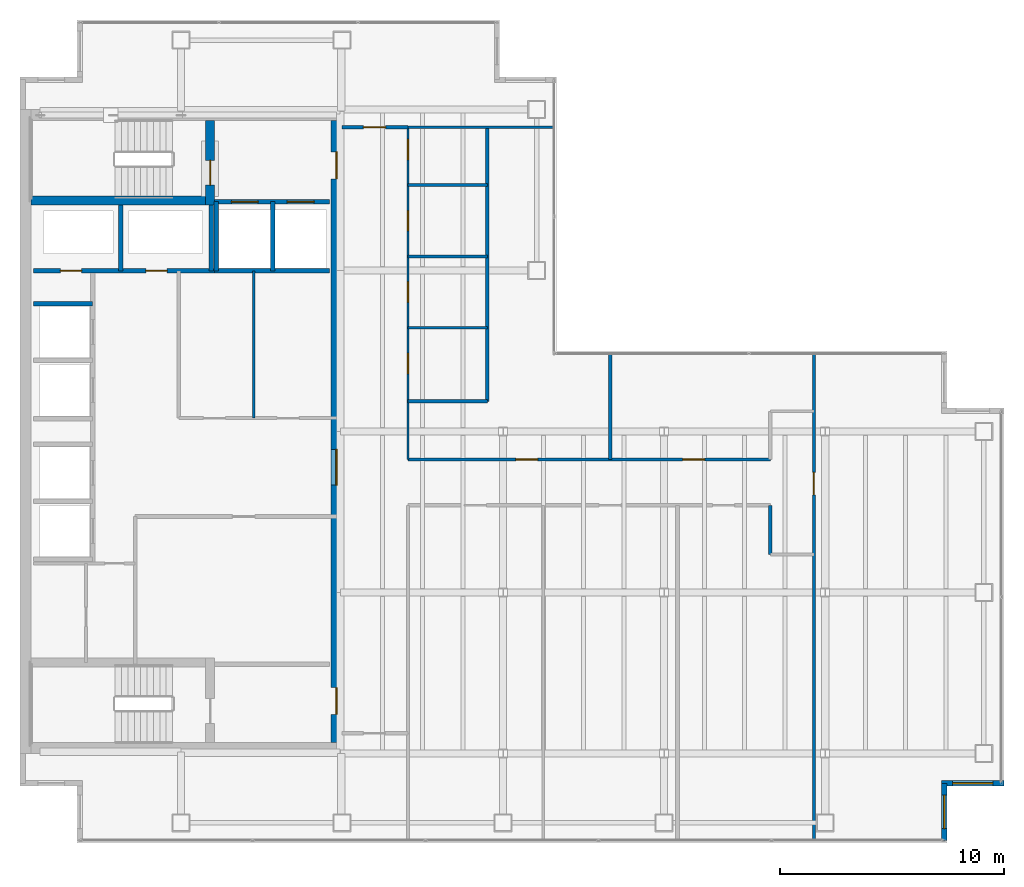
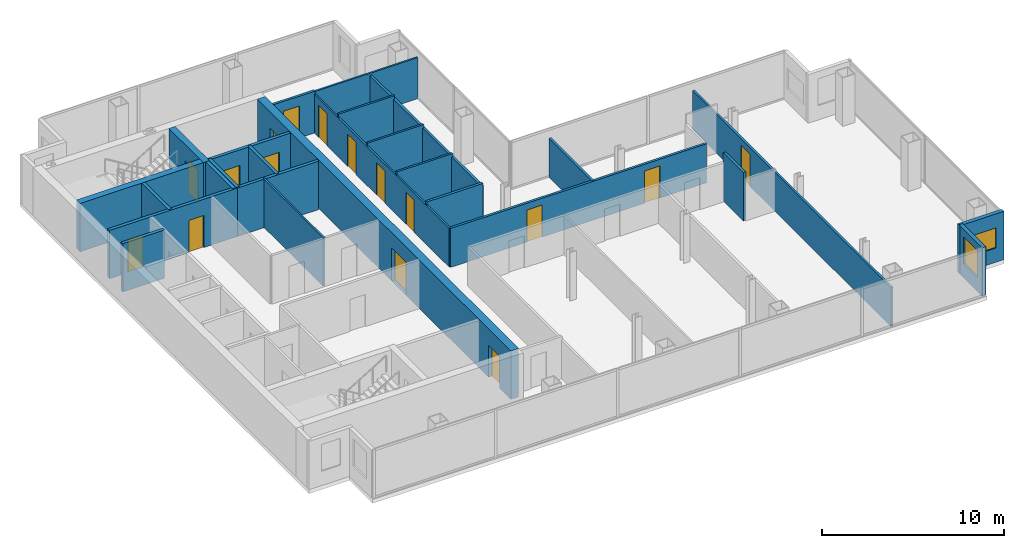
# One storey, part 21 of 23: 26 walls, 16 doors, 2 windows, 18 openings.
"""IFC4 building model written with IfcOpenShell, lengths in metres."""

from ifc_helpers import new_model, si_unit, direction, frame, frame_2d, origin, place, context, subcontext, project, spatial, rectangle, extrude, material, layer, layer_set, type_object, element, fill, save


model = new_model("IFC4")

# Units and contexts
model_context = context("Model", 3, precision=1e-05, world=origin(), true_north=direction((0.0, 1.0)))
body_context = subcontext(model_context, "Body", "Model", "MODEL_VIEW")
ifc_project = project(units=[si_unit("LENGTHUNIT", "METRE"), si_unit("AREAUNIT", "SQUARE_METRE"), si_unit("VOLUMEUNIT", "CUBIC_METRE"), si_unit("PLANEANGLEUNIT", "RADIAN"), si_unit("MASSUNIT", "GRAM", prefix="KILO")], contexts=[model_context])

# Site, building, storey
site_placement = place(None, origin())
site = spatial("IfcSite", under=ifc_project, at=site_placement, CompositionType="ELEMENT")
building_placement = place(site_placement, origin())
building = spatial("IfcBuilding", under=site, at=building_placement, Name="Cobrela Telecom Tower", CompositionType="ELEMENT")
storey_placement = place(building_placement, frame((0.0, 0.0, 190.75)))
storey = spatial("IfcBuildingStorey", under=building, at=storey_placement, Name="L48", CompositionType="ELEMENT", Elevation=190.75)

# Wall, openings, doors
ifc_material_1 = material(Name="Concrete C40/50", Category="concrete")
ifc_layer_1 = layer(ifc_material_1, 0.5)
ifc_layer_set_1 = layer_set([ifc_layer_1], Name="Concrete C40/50")
wall_type_1 = type_object("IfcWallType", Name="WALL-CORE-C40-500", PredefinedType="SHEAR", material=ifc_layer_set_1)
wall_1_placement = place(storey_placement, frame((14.14990234375, 35.5, 0.0), z_axis=(0.0, 0.0, 1.0), x_axis=(0.0, -1.0, 0.0)))
wall_1 = element("IfcWall", 1, at=wall_1_placement, inside=storey, type_object=wall_type_1, Name="L48 East Core Shear Wall", PredefinedType="SHEAR", context=body_context, shape_type="SweptSolid", body=[
    extrude(rectangle(XDim=27.800048828125, YDim=0.5, at=frame_2d((13.89990234375, 0.0))), origin(), (0.0, 0.0, 1.0), 3.239990234375),
])
opening_1_placement = place(wall_1_placement, frame((1.39990234375, 0.0, 0.0)))
opening_1 = element("IfcOpeningElement", 2, at=opening_1_placement, cuts=wall_1, Name="Opening DR-19", PredefinedType="OPENING", context=body_context, shape_type="SweptSolid", body=[
    extrude(rectangle(XDim=1.199951171875, YDim=2.14990234375, at=frame_2d((0.60009765625, 1.074951171875))), frame((0.0, 0.261962890625, 0.0), z_axis=(0.0, -1.0, 0.0), x_axis=(1.0, 0.0, 0.0)), (0.0, 0.0, 1.0), 0.52392578125),
])
opening_2_placement = place(wall_1_placement, frame((25.35009765625, 0.0, 0.0)))
opening_2 = element("IfcOpeningElement", 3, at=opening_2_placement, cuts=wall_1, Name="Opening DR-19", PredefinedType="OPENING", context=body_context, shape_type="SweptSolid", body=[
    extrude(rectangle(XDim=1.199951171875, YDim=2.14990234375, at=frame_2d((0.60009765625, 1.074951171875))), frame((0.0, 0.261962890625, 0.0), z_axis=(0.0, -1.0, 0.0), x_axis=(1.0, 0.0, 0.0)), (0.0, 0.0, 1.0), 0.52392578125),
])
opening_3_placement = place(wall_1_placement, frame((14.699951171875, 0.0, 0.0)))
opening_3 = element("IfcOpeningElement", 4, at=opening_3_placement, cuts=wall_1, Name="Opening DR-51", PredefinedType="OPENING", context=body_context, shape_type="SweptSolid", body=[
    extrude(rectangle(XDim=1.60009765625, YDim=2.199951171875, at=frame_2d((0.800048828125, 1.10009765625))), frame((0.0, 0.261962890625, 0.0), z_axis=(0.0, -1.0, 0.0), x_axis=(1.0, 0.0, 0.0)), (0.0, 0.0, 1.0), 0.52392578125),
])
ifc_material_2 = material(Name="Steel ASTM A36", Category="steel")
door_type_1 = type_object("IfcDoorType", Name="DOOR-FD60-1200", OperationType="SINGLE_SWING_LEFT", PredefinedType="DOOR", material=ifc_material_2)
door_1_placement = place(opening_1_placement, origin())
door_1 = element("IfcDoor", 5, at=door_1_placement, inside=storey, type_object=door_type_1, Name="L48 Door DR-19", OperationType="SINGLE_SWING_LEFT", OverallHeight=2.14990234375, OverallWidth=1.199951171875, PredefinedType="DOOR", context=body_context, shape_type="SweptSolid", body=[
    extrude(rectangle(XDim=1.199951171875, YDim=2.14990234375, at=frame_2d((0.60009765625, 1.074951171875))), frame((0.0, 0.02490234375, 0.0), z_axis=(0.0, -1.0, 0.0), x_axis=(1.0, 0.0, 0.0)), (0.0, 0.0, 1.0), 0.050048828125),
])
fill(opening_1, door_1)
door_2_placement = place(opening_2_placement, origin())
door_2 = element("IfcDoor", 6, at=door_2_placement, inside=storey, type_object=door_type_1, Name="L48 Door DR-19", OperationType="SINGLE_SWING_RIGHT", OverallHeight=2.14990234375, OverallWidth=1.199951171875, PredefinedType="DOOR", context=body_context, shape_type="SweptSolid", body=[
    extrude(rectangle(XDim=1.199951171875, YDim=2.14990234375, at=frame_2d((0.60009765625, 1.074951171875))), frame((0.0, 0.02490234375, 0.0), z_axis=(0.0, -1.0, 0.0), x_axis=(1.0, 0.0, 0.0)), (0.0, 0.0, 1.0), 0.050048828125),
])
fill(opening_2, door_2)
door_type_2 = type_object("IfcDoorType", Name="DOOR-FD60-1600", OperationType="SINGLE_SWING_LEFT", PredefinedType="DOOR", material=ifc_material_2)
door_3_placement = place(opening_3_placement, origin())
door_3 = element("IfcDoor", 7, at=door_3_placement, inside=storey, type_object=door_type_2, Name="L48 Door DR-51", OperationType="DOUBLE_DOOR_SINGLE_SWING", OverallHeight=2.199951171875, OverallWidth=1.60009765625, PredefinedType="DOOR", context=body_context, shape_type="SweptSolid", body=[
    extrude(rectangle(XDim=1.60009765625, YDim=2.199951171875, at=frame_2d((0.800048828125, 1.10009765625))), frame((0.0, 0.02490234375, 0.0), z_axis=(0.0, -1.0, 0.0), x_axis=(1.0, 0.0, 0.0)), (0.0, 0.0, 1.0), 0.050048828125),
])
fill(opening_3, door_3)

# Wall, opening, window
ifc_layer_2 = layer(ifc_material_1, 0.239990234375)
ifc_layer_set_2 = layer_set([ifc_layer_2], Name="Concrete C40/50")
wall_type_2 = type_object("IfcWallType", Name="WALL-EXT-300", PredefinedType="STANDARD", material=ifc_layer_set_2)
wall_2_placement = place(storey_placement, frame((44.0, 5.8701171875, 0.0), z_axis=(0.0, 0.0, 1.0), x_axis=(-1.0, 0.0, 0.0)))
wall_2 = element("IfcWall", 8, at=wall_2_placement, inside=storey, type_object=wall_type_2, Name="L48 Insulated Facade Wall 15", PredefinedType="STANDARD", context=body_context, shape_type="SweptSolid", body=[
    extrude(rectangle(XDim=2.7900390625, YDim=0.239990234375, at=frame_2d((1.39501953125, 0.0))), origin(), (0.0, 0.0, 1.0), 3.239990234375),
])
opening_4_placement = place(wall_2_placement, frame((0.4951171875, 0.0, 0.949951171875)))
opening_4 = element("IfcOpeningElement", 9, at=opening_4_placement, cuts=wall_2, Name="Opening WN-27", PredefinedType="OPENING", context=body_context, shape_type="SweptSolid", body=[
    extrude(rectangle(XDim=1.800048828125, YDim=1.35009765625, at=frame_2d((0.89990234375, 0.675048828125))), frame((0.0, 0.1318359375, 0.0), z_axis=(0.0, -1.0, 0.0), x_axis=(1.0, 0.0, 0.0)), (0.0, 0.0, 1.0), 0.263916015625),
])
ifc_material_3 = material(Name="Solar-Control Bronze Low-E Glass", Category="glass")
window_type_1 = type_object("IfcWindowType", Name="WIN-CLER-1800", PartitioningType="SINGLE_PANEL", PredefinedType="WINDOW", material=ifc_material_3)
window_1_placement = place(opening_4_placement, origin())
window_1 = element("IfcWindow", 10, at=window_1_placement, inside=storey, type_object=window_type_1, Name="L48 Corner Notch Facade Window 237", OverallHeight=1.35009765625, OverallWidth=1.800048828125, PartitioningType="SINGLE_PANEL", PredefinedType="WINDOW", context=body_context, shape_type="SweptSolid", body=[
    extrude(rectangle(XDim=1.800048828125, YDim=1.35009765625, at=frame_2d((0.89990234375, 0.675048828125))), frame((0.0, 0.030029296875, 0.0), z_axis=(0.0, -1.0, 0.0), x_axis=(1.0, 0.0, 0.0)), (0.0, 0.0, 1.0), 0.06005859375),
])
fill(opening_4, window_1)

wall_3_placement = place(storey_placement, frame((41.330078125, 5.8701171875, 0.0), z_axis=(0.0, 0.0, 1.0), x_axis=(0.0, -1.0, 0.0)))
wall_3 = element("IfcWall", 11, at=wall_3_placement, inside=storey, type_object=wall_type_2, Name="L48 Insulated Facade Wall 16", PredefinedType="STANDARD", context=body_context, shape_type="SweptSolid", body=[
    extrude(rectangle(XDim=2.550048828125, YDim=0.239990234375, at=frame_2d((1.27490234375, 0.0))), origin(), (0.0, 0.0, 1.0), 3.239990234375),
])
opening_5_placement = place(wall_3_placement, frame((0.52490234375, 0.0, 0.949951171875)))
opening_5 = element("IfcOpeningElement", 12, at=opening_5_placement, cuts=wall_3, Name="Opening WN-45", PredefinedType="OPENING", context=body_context, shape_type="SweptSolid", body=[
    extrude(rectangle(XDim=1.5, YDim=1.800048828125, at=frame_2d((0.75, 0.89990234375))), frame((0.0, 0.1318359375, 0.0), z_axis=(0.0, -1.0, 0.0), x_axis=(1.0, 0.0, 0.0)), (0.0, 0.0, 1.0), 0.263916015625),
])
window_type_2 = type_object("IfcWindowType", Name="WIN-MOD-1500", PartitioningType="SINGLE_PANEL", PredefinedType="WINDOW", material=ifc_material_3)
window_2_placement = place(opening_5_placement, origin())
window_2 = element("IfcWindow", 13, at=window_2_placement, inside=storey, type_object=window_type_2, Name="L48 Corner Notch Facade Window 238", OverallHeight=1.800048828125, OverallWidth=1.5, PartitioningType="SINGLE_PANEL", PredefinedType="WINDOW", context=body_context, shape_type="SweptSolid", body=[
    extrude(rectangle(XDim=1.5, YDim=1.800048828125, at=frame_2d((0.75, 0.89990234375))), frame((0.0, 0.030029296875, 0.0), z_axis=(0.0, -1.0, 0.0), x_axis=(1.0, 0.0, 0.0)), (0.0, 0.0, 1.0), 0.06005859375),
])
fill(opening_5, window_2)

# Wall
ifc_material_4 = material(Name="Fire-Rated Gypsum Plasterboard")
ifc_layer_3 = layer(ifc_material_4, 0.110107421875)
ifc_layer_set_3 = layer_set([ifc_layer_3], Name="Fire-Rated Gypsum Plasterboard")
wall_type_3 = type_object("IfcWallType", Name="WALL-PART-110", PredefinedType="PARTITIONING", material=ifc_layer_set_3)
wall_4_placement = place(storey_placement, frame((10.449951171875, 22.199951171875, 0.0), z_axis=(0.0, 0.0, 1.0), x_axis=(0.0, 1.0, 0.0)))
element("IfcWall", 14, at=wall_4_placement, inside=storey, type_object=wall_type_3, Name="L48 Interior Partition CW-RECL-V", PredefinedType="PARTITIONING", context=body_context, shape_type="SweptSolid", body=[
    extrude(rectangle(XDim=6.580078125, YDim=0.110107421875, at=frame_2d((3.2900390625, 0.0))), origin(), (0.0, 0.0, 1.0), 3.239990234375),
])

# Wall, openings, doors
wall_5_placement = place(storey_placement, frame((17.35009765625, 20.35009765625, 0.0), z_axis=(0.0, 0.0, 1.0), x_axis=(0.0, 1.0, 0.0)))
wall_5 = element("IfcWall", 15, at=wall_5_placement, inside=storey, type_object=wall_type_3, Name="L48 Interior Partition W-C-E2", PredefinedType="PARTITIONING", context=body_context, shape_type="SweptSolid", body=[
    extrude(rectangle(XDim=14.849853515625, YDim=0.110107421875, at=frame_2d((7.4248046875, 0.0))), origin(), (0.0, 0.0, 1.0), 2.60302734375),
])
opening_6_placement = place(wall_5_placement, frame((3.840087890625, 0.0, 0.0)))
opening_6 = element("IfcOpeningElement", 16, at=opening_6_placement, cuts=wall_5, Name="Opening DR-41", PredefinedType="OPENING", context=body_context, shape_type="SweptSolid", body=[
    extrude(rectangle(XDim=0.89990234375, YDim=2.14990234375, at=frame_2d((0.449951171875, 1.074951171875))), frame((0.0, 0.06689453125, 0.0), z_axis=(0.0, -1.0, 0.0), x_axis=(1.0, 0.0, 0.0)), (0.0, 0.0, 1.0), 0.134033203125),
])
opening_7_placement = place(wall_5_placement, frame((7.0400390625, 0.0, 0.0)))
opening_7 = element("IfcOpeningElement", 17, at=opening_7_placement, cuts=wall_5, Name="Opening DR-41", PredefinedType="OPENING", context=body_context, shape_type="SweptSolid", body=[
    extrude(rectangle(XDim=0.89990234375, YDim=2.14990234375, at=frame_2d((0.449951171875, 1.074951171875))), frame((0.0, 0.06689453125, 0.0), z_axis=(0.0, -1.0, 0.0), x_axis=(1.0, 0.0, 0.0)), (0.0, 0.0, 1.0), 0.134033203125),
])
opening_8_placement = place(wall_5_placement, frame((10.219970703125, 0.0, 0.0)))
opening_8 = element("IfcOpeningElement", 18, at=opening_8_placement, cuts=wall_5, Name="Opening DR-41", PredefinedType="OPENING", context=body_context, shape_type="SweptSolid", body=[
    extrude(rectangle(XDim=0.89990234375, YDim=2.14990234375, at=frame_2d((0.449951171875, 1.074951171875))), frame((0.0, 0.06689453125, 0.0), z_axis=(0.0, -1.0, 0.0), x_axis=(1.0, 0.0, 0.0)), (0.0, 0.0, 1.0), 0.134033203125),
])
opening_9_placement = place(wall_5_placement, frame((13.409912109375, 0.0, 0.0)))
opening_9 = element("IfcOpeningElement", 19, at=opening_9_placement, cuts=wall_5, Name="Opening DR-41", PredefinedType="OPENING", context=body_context, shape_type="SweptSolid", body=[
    extrude(rectangle(XDim=0.89990234375, YDim=2.14990234375, at=frame_2d((0.449951171875, 1.074951171875))), frame((0.0, 0.06689453125, 0.0), z_axis=(0.0, -1.0, 0.0), x_axis=(1.0, 0.0, 0.0)), (0.0, 0.0, 1.0), 0.134033203125),
])
ifc_material_5 = material(Name="Solid Engineered Oak Timber", Category="wood")
door_type_3 = type_object("IfcDoorType", Name="DOOR-INT-900", OperationType="SINGLE_SWING_LEFT", PredefinedType="DOOR", material=ifc_material_5)
door_4_placement = place(opening_6_placement, origin())
door_4 = element("IfcDoor", 20, at=door_4_placement, inside=storey, type_object=door_type_3, Name="L48 Door DR-41", OperationType="SINGLE_SWING_LEFT", OverallHeight=2.14990234375, OverallWidth=0.89990234375, PredefinedType="DOOR", context=body_context, shape_type="SweptSolid", body=[
    extrude(rectangle(XDim=0.89990234375, YDim=2.14990234375, at=frame_2d((0.449951171875, 1.074951171875))), frame((0.0, 0.02490234375, 0.0), z_axis=(0.0, -1.0, 0.0), x_axis=(1.0, 0.0, 0.0)), (0.0, 0.0, 1.0), 0.050048828125),
])
fill(opening_6, door_4)
door_5_placement = place(opening_7_placement, origin())
door_5 = element("IfcDoor", 21, at=door_5_placement, inside=storey, type_object=door_type_3, Name="L48 Door DR-41", OperationType="SINGLE_SWING_RIGHT", OverallHeight=2.14990234375, OverallWidth=0.89990234375, PredefinedType="DOOR", context=body_context, shape_type="SweptSolid", body=[
    extrude(rectangle(XDim=0.89990234375, YDim=2.14990234375, at=frame_2d((0.449951171875, 1.074951171875))), frame((0.0, 0.02490234375, 0.0), z_axis=(0.0, -1.0, 0.0), x_axis=(1.0, 0.0, 0.0)), (0.0, 0.0, 1.0), 0.050048828125),
])
fill(opening_7, door_5)
door_6_placement = place(opening_8_placement, origin())
door_6 = element("IfcDoor", 22, at=door_6_placement, inside=storey, type_object=door_type_3, Name="L48 Door DR-41", OperationType="SINGLE_SWING_LEFT", OverallHeight=2.14990234375, OverallWidth=0.89990234375, PredefinedType="DOOR", context=body_context, shape_type="SweptSolid", body=[
    extrude(rectangle(XDim=0.89990234375, YDim=2.14990234375, at=frame_2d((0.449951171875, 1.074951171875))), frame((0.0, 0.02490234375, 0.0), z_axis=(0.0, -1.0, 0.0), x_axis=(1.0, 0.0, 0.0)), (0.0, 0.0, 1.0), 0.050048828125),
])
fill(opening_8, door_6)
door_7_placement = place(opening_9_placement, origin())
door_7 = element("IfcDoor", 23, at=door_7_placement, inside=storey, type_object=door_type_3, Name="L48 Door DR-41", OperationType="SINGLE_SWING_RIGHT", OverallHeight=2.14990234375, OverallWidth=0.89990234375, PredefinedType="DOOR", context=body_context, shape_type="SweptSolid", body=[
    extrude(rectangle(XDim=0.89990234375, YDim=2.14990234375, at=frame_2d((0.449951171875, 1.074951171875))), frame((0.0, 0.02490234375, 0.0), z_axis=(0.0, -1.0, 0.0), x_axis=(1.0, 0.0, 0.0)), (0.0, 0.0, 1.0), 0.050048828125),
])
fill(opening_9, door_7)

# Walls
wall_6_placement = place(storey_placement, frame((17.35009765625, 35.199951171875, 0.0), z_axis=(0.0, 0.0, 1.0), x_axis=(1.0, 0.0, 0.0)))
element("IfcWall", 24, at=wall_6_placement, inside=storey, type_object=wall_type_3, Name="L48 Interior Partition W-NW-S", PredefinedType="PARTITIONING", context=body_context, shape_type="SweptSolid", body=[
    extrude(rectangle(XDim=6.52978515625, YDim=0.110107421875, at=frame_2d((3.264892578125, 0.0))), origin(), (0.0, 0.0, 1.0), 2.758056640625),
])
ifc_layer_4 = layer(ifc_material_4, 0.125)
ifc_layer_set_4 = layer_set([ifc_layer_4], Name="Fire-Rated Gypsum Plasterboard")
wall_type_4 = type_object("IfcWallType", Name="WALL-PART-125", PredefinedType="PARTITIONING", material=ifc_layer_set_4)
for number, where, z_axis, x_axis, name in (
    (25, (17.35009765625, 26.239990234375, 0.0), (0.0, 0.0, 1.0), (1.0, 0.0, 0.0), "L48 Interior Partition W-WCD-1"),
    (26, (17.35009765625, 29.429931640625, 0.0), (0.0, 0.0, 1.0), (1.0, 0.0, 0.0), "L48 Interior Partition W-WCD-2"),
    (27, (17.35009765625, 32.6201171875, 0.0), (0.0, 0.0, 1.0), (1.0, 0.0, 0.0), "L48 Interior Partition W-WCD-3"),
):
    element("IfcWall", number, at=place(storey_placement, frame(where, z_axis=z_axis, x_axis=x_axis)), inside=storey, type_object=wall_type_4, Name=name, PredefinedType="PARTITIONING", context=body_context, shape_type="SweptSolid", body=[
        extrude(rectangle(XDim=3.5498046875, YDim=0.125, at=frame_2d((1.77490234375, 0.0))), origin(), (0.0, 0.0, 1.0), 2.80810546875),
    ])

# Wall, opening, door
ifc_layer_5 = layer(ifc_material_4, 0.135009765625)
ifc_layer_set_5 = layer_set([ifc_layer_5], Name="Fire-Rated Gypsum Plasterboard")
wall_type_5 = type_object("IfcWallType", Name="WALL-PART-135", PredefinedType="PARTITIONING", material=ifc_layer_set_5)
wall_7_placement = place(storey_placement, frame((35.5, 3.320068359375, 0.0), z_axis=(0.0, 0.0, 1.0), x_axis=(0.0, 1.0, 0.0)))
wall_7 = element("IfcWall", 28, at=wall_7_placement, inside=storey, type_object=wall_type_5, Name="L48 Interior Partition W-C-END", PredefinedType="PARTITIONING", context=body_context, shape_type="SweptSolid", body=[
    extrude(rectangle(XDim=21.760009765625, YDim=0.135009765625, at=frame_2d((10.8798828125, 0.0))), origin(), (0.0, 0.0, 1.0), 2.60302734375),
])
opening_10_placement = place(wall_7_placement, frame((15.449951171875, 0.0, 0.0)))
opening_10 = element("IfcOpeningElement", 29, at=opening_10_placement, cuts=wall_7, Name="Opening DR-31", PredefinedType="OPENING", context=body_context, shape_type="SweptSolid", body=[
    extrude(rectangle(XDim=1.0, YDim=2.14990234375, at=frame_2d((0.5, 1.074951171875))), frame((0.0, 0.07958984375, 0.0), z_axis=(0.0, -1.0, 0.0), x_axis=(1.0, 0.0, 0.0)), (0.0, 0.0, 1.0), 0.158935546875),
])
door_type_4 = type_object("IfcDoorType", Name="DOOR-INT-1000", OperationType="SINGLE_SWING_LEFT", PredefinedType="DOOR", material=ifc_material_5)
door_8_placement = place(opening_10_placement, origin())
door_8 = element("IfcDoor", 30, at=door_8_placement, inside=storey, type_object=door_type_4, Name="L48 Door DR-31", OperationType="SINGLE_SWING_LEFT", OverallHeight=2.14990234375, OverallWidth=1.0, PredefinedType="DOOR", context=body_context, shape_type="SweptSolid", body=[
    extrude(rectangle(XDim=1.0, YDim=2.14990234375, at=frame_2d((0.5, 1.074951171875))), frame((0.0, 0.02490234375, 0.0), z_axis=(0.0, -1.0, 0.0), x_axis=(1.0, 0.0, 0.0)), (0.0, 0.0, 1.0), 0.050048828125),
])
fill(opening_10, door_8)

ifc_layer_6 = layer(ifc_material_4, 0.14990234375)
ifc_layer_set_6 = layer_set([ifc_layer_6], Name="Fire-Rated Gypsum Plasterboard")
wall_type_6 = type_object("IfcWallType", Name="WALL-PART-150", PredefinedType="PARTITIONING", material=ifc_layer_set_6)
wall_8_placement = place(storey_placement, frame((14.39990234375, 35.199951171875, 0.0), z_axis=(0.0, 0.0, 1.0), x_axis=(1.0, 0.0, 0.0)))
wall_8 = element("IfcWall", 31, at=wall_8_placement, inside=storey, type_object=wall_type_6, Name="L48 Interior Partition W-C-N0", PredefinedType="PARTITIONING", context=body_context, shape_type="SweptSolid", body=[
    extrude(rectangle(XDim=2.9501953125, YDim=0.14990234375, at=frame_2d((1.47509765625, 0.0))), origin(), (0.0, 0.0, 1.0), 2.80810546875),
])
opening_11_placement = place(wall_8_placement, frame((0.949951171875, 0.0, 0.0)))
opening_11 = element("IfcOpeningElement", 32, at=opening_11_placement, cuts=wall_8, Name="Opening DR-31", PredefinedType="OPENING", context=body_context, shape_type="SweptSolid", body=[
    extrude(rectangle(XDim=1.0, YDim=2.14990234375, at=frame_2d((0.5, 1.074951171875))), frame((0.0, 0.0869140625, 0.0), z_axis=(0.0, -1.0, 0.0), x_axis=(1.0, 0.0, 0.0)), (0.0, 0.0, 1.0), 0.173828125),
])
door_9_placement = place(opening_11_placement, origin())
door_9 = element("IfcDoor", 33, at=door_9_placement, inside=storey, type_object=door_type_4, Name="L48 Door DR-31", OperationType="SINGLE_SWING_LEFT", OverallHeight=2.14990234375, OverallWidth=1.0, PredefinedType="DOOR", context=body_context, shape_type="SweptSolid", body=[
    extrude(rectangle(XDim=1.0, YDim=2.14990234375, at=frame_2d((0.5, 1.074951171875))), frame((0.0, 0.02490234375, 0.0), z_axis=(0.0, -1.0, 0.0), x_axis=(1.0, 0.0, 0.0)), (0.0, 0.0, 1.0), 0.050048828125),
])
fill(opening_11, door_9)

# Wall, openings, doors
wall_9_placement = place(storey_placement, frame((17.35009765625, 20.35009765625, 0.0), z_axis=(0.0, 0.0, 1.0), x_axis=(1.0, 0.0, 0.0)))
wall_9 = element("IfcWall", 34, at=wall_9_placement, inside=storey, type_object=wall_type_6, Name="L48 Interior Partition W-C-HN", PredefinedType="PARTITIONING", context=body_context, shape_type="SweptSolid", body=[
    extrude(rectangle(XDim=16.199951171875, YDim=0.14990234375, at=frame_2d((8.10009765625, 0.0))), origin(), (0.0, 0.0, 1.0), 2.60302734375),
])
opening_12_placement = place(wall_9_placement, frame((4.820068359375, 0.0, 0.0)))
opening_12 = element("IfcOpeningElement", 35, at=opening_12_placement, cuts=wall_9, Name="Opening DR-17", PredefinedType="OPENING", context=body_context, shape_type="SweptSolid", body=[
    extrude(rectangle(XDim=0.97998046875, YDim=2.14990234375, at=frame_2d((0.489990234375, 1.074951171875))), frame((0.0, 0.0869140625, 0.0), z_axis=(0.0, -1.0, 0.0), x_axis=(1.0, 0.0, 0.0)), (0.0, 0.0, 1.0), 0.173828125),
])
opening_13_placement = place(wall_9_placement, frame((12.280029296875, 0.0, 0.0)))
opening_13 = element("IfcOpeningElement", 36, at=opening_13_placement, cuts=wall_9, Name="Opening DR-17", PredefinedType="OPENING", context=body_context, shape_type="SweptSolid", body=[
    extrude(rectangle(XDim=0.97998046875, YDim=2.14990234375, at=frame_2d((0.489990234375, 1.074951171875))), frame((0.0, 0.0869140625, 0.0), z_axis=(0.0, -1.0, 0.0), x_axis=(1.0, 0.0, 0.0)), (0.0, 0.0, 1.0), 0.173828125),
])
door_type_5 = type_object("IfcDoorType", Name="DOOR-INT-980", OperationType="SINGLE_SWING_LEFT", PredefinedType="DOOR", material=ifc_material_5)
door_10_placement = place(opening_12_placement, origin())
door_10 = element("IfcDoor", 37, at=door_10_placement, inside=storey, type_object=door_type_5, Name="L48 Door DR-17", OperationType="SINGLE_SWING_LEFT", OverallHeight=2.14990234375, OverallWidth=0.97998046875, PredefinedType="DOOR", context=body_context, shape_type="SweptSolid", body=[
    extrude(rectangle(XDim=0.97998046875, YDim=2.14990234375, at=frame_2d((0.489990234375, 1.074951171875))), frame((0.0, 0.02490234375, 0.0), z_axis=(0.0, -1.0, 0.0), x_axis=(1.0, 0.0, 0.0)), (0.0, 0.0, 1.0), 0.050048828125),
])
fill(opening_12, door_10)
door_11_placement = place(opening_13_placement, origin())
door_11 = element("IfcDoor", 38, at=door_11_placement, inside=storey, type_object=door_type_5, Name="L48 Door DR-17", OperationType="SINGLE_SWING_RIGHT", OverallHeight=2.14990234375, OverallWidth=0.97998046875, PredefinedType="DOOR", context=body_context, shape_type="SweptSolid", body=[
    extrude(rectangle(XDim=0.97998046875, YDim=2.14990234375, at=frame_2d((0.489990234375, 1.074951171875))), frame((0.0, 0.02490234375, 0.0), z_axis=(0.0, -1.0, 0.0), x_axis=(1.0, 0.0, 0.0)), (0.0, 0.0, 1.0), 0.050048828125),
])
fill(opening_13, door_11)

# Walls
wall_10_placement = place(storey_placement, frame((20.89990234375, 22.949951171875, 0.0), z_axis=(0.0, 0.0, 1.0), x_axis=(0.0, 1.0, 0.0)))
element("IfcWall", 39, at=wall_10_placement, inside=storey, type_object=wall_type_6, Name="L48 Interior Partition W-WC-E", PredefinedType="PARTITIONING", context=body_context, shape_type="SweptSolid", body=[
    extrude(rectangle(XDim=12.25, YDim=0.14990234375, at=frame_2d((6.125, 0.0))), origin(), (0.0, 0.0, 1.0), 2.60302734375),
])
wall_11_placement = place(storey_placement, frame((26.39990234375, 20.35009765625, 0.0), z_axis=(0.0, 0.0, 1.0), x_axis=(0.0, 1.0, 0.0)))
element("IfcWall", 40, at=wall_11_placement, inside=storey, type_object=wall_type_6, Name="L48 Interior Partition W-NV-1", PredefinedType="PARTITIONING", context=body_context, shape_type="SweptSolid", body=[
    extrude(rectangle(XDim=4.699951171875, YDim=0.14990234375, at=frame_2d((2.35009765625, 0.0))), origin(), (0.0, 0.0, 1.0), 2.60302734375),
])
ifc_layer_7 = layer(ifc_material_4, 0.159912109375)
ifc_layer_set_7 = layer_set([ifc_layer_7], Name="Fire-Rated Gypsum Plasterboard")
wall_type_7 = type_object("IfcWallType", Name="WALL-PART-160", PredefinedType="PARTITIONING", material=ifc_layer_set_7)
wall_12_placement = place(storey_placement, frame((33.550048828125, 16.10009765625, 0.0), z_axis=(0.0, 0.0, 1.0), x_axis=(0.0, 1.0, 0.0)))
element("IfcWall", 41, at=wall_12_placement, inside=storey, type_object=wall_type_7, Name="L48 Interior Partition W-CT-JW1", PredefinedType="PARTITIONING", context=body_context, shape_type="SweptSolid", body=[
    extrude(rectangle(XDim=2.199951171875, YDim=0.159912109375, at=frame_2d((1.10009765625, 0.0))), origin(), (0.0, 0.0, 1.0), 3.239990234375),
])
wall_13_placement = place(storey_placement, frame((17.35009765625, 22.949951171875, 0.0), z_axis=(0.0, 0.0, 1.0), x_axis=(1.0, 0.0, 0.0)))
element("IfcWall", 42, at=wall_13_placement, inside=storey, type_object=wall_type_7, Name="L48 Interior Partition W-WC-S", PredefinedType="PARTITIONING", context=body_context, shape_type="SweptSolid", body=[
    extrude(rectangle(XDim=3.5498046875, YDim=0.159912109375, at=frame_2d((1.77490234375, 0.0))), origin(), (0.0, 0.0, 1.0), 2.80810546875),
])

# Wall, openings, doors
ifc_layer_8 = layer(ifc_material_4, 0.199951171875)
ifc_layer_set_8 = layer_set([ifc_layer_8], Name="Fire-Rated Gypsum Plasterboard")
wall_type_8 = type_object("IfcWallType", Name="WALL-SHAFT-200", PredefinedType="PARTITIONING", material=ifc_layer_set_8)
wall_14_placement = place(storey_placement, frame((8.699951171875, 31.8798828125, 0.0), z_axis=(0.0, 0.0, 1.0), x_axis=(1.0, 0.0, 0.0)))
wall_14 = element("IfcWall", 43, at=wall_14_placement, inside=storey, type_object=wall_type_8, Name="L48 Shaft Enclosure CW-FFL-S", PredefinedType="PARTITIONING", context=body_context, shape_type="SweptSolid", body=[
    extrude(rectangle(XDim=5.150146484375, YDim=0.199951171875, at=frame_2d((2.5751953125, 0.0))), origin(), (0.0, 0.0, 1.0), 3.239990234375),
])
opening_14_placement = place(wall_14_placement, frame((0.75, 0.0, 0.0)))
opening_14 = element("IfcOpeningElement", 44, at=opening_14_placement, cuts=wall_14, Name="Opening LD-2", PredefinedType="OPENING", context=body_context, shape_type="SweptSolid", body=[
    extrude(rectangle(XDim=1.199951171875, YDim=2.199951171875, at=frame_2d((0.60009765625, 1.10009765625))), frame((0.0, 0.11181640625, 0.0), z_axis=(0.0, -1.0, 0.0), x_axis=(1.0, 0.0, 0.0)), (0.0, 0.0, 1.0), 0.223876953125),
])
opening_15_placement = place(wall_14_placement, frame((3.25, 0.0, 0.0)))
opening_15 = element("IfcOpeningElement", 45, at=opening_15_placement, cuts=wall_14, Name="Opening LD-2", PredefinedType="OPENING", context=body_context, shape_type="SweptSolid", body=[
    extrude(rectangle(XDim=1.199951171875, YDim=2.199951171875, at=frame_2d((0.60009765625, 1.10009765625))), frame((0.0, 0.11181640625, 0.0), z_axis=(0.0, -1.0, 0.0), x_axis=(1.0, 0.0, 0.0)), (0.0, 0.0, 1.0), 0.223876953125),
])
door_type_6 = type_object("IfcDoorType", Name="DOOR-LD-FFL", OperationType="SINGLE_SWING_LEFT", PredefinedType="DOOR", material=ifc_material_2)
door_12_placement = place(opening_14_placement, origin())
door_12 = element("IfcDoor", 46, at=door_12_placement, inside=storey, type_object=door_type_6, Name="L48 Lift Landing Door LD-2", OperationType="DOUBLE_DOOR_SLIDING", OverallHeight=2.199951171875, OverallWidth=1.199951171875, PredefinedType="DOOR", context=body_context, shape_type="SweptSolid", body=[
    extrude(rectangle(XDim=1.199951171875, YDim=2.199951171875, at=frame_2d((0.60009765625, 1.10009765625))), frame((0.0, 0.02490234375, 0.0), z_axis=(0.0, -1.0, 0.0), x_axis=(1.0, 0.0, 0.0)), (0.0, 0.0, 1.0), 0.050048828125),
])
fill(opening_14, door_12)
door_13_placement = place(opening_15_placement, origin())
door_13 = element("IfcDoor", 47, at=door_13_placement, inside=storey, type_object=door_type_6, Name="L48 Lift Landing Door LD-2", OperationType="DOUBLE_DOOR_SLIDING", OverallHeight=2.199951171875, OverallWidth=1.199951171875, PredefinedType="DOOR", context=body_context, shape_type="SweptSolid", body=[
    extrude(rectangle(XDim=1.199951171875, YDim=2.199951171875, at=frame_2d((0.60009765625, 1.10009765625))), frame((0.0, 0.02490234375, 0.0), z_axis=(0.0, -1.0, 0.0), x_axis=(1.0, 0.0, 0.0)), (0.0, 0.0, 1.0), 0.050048828125),
])
fill(opening_15, door_13)

# Walls
wall_15_placement = place(storey_placement, frame((8.699951171875, 28.780029296875, 0.0), z_axis=(0.0, 0.0, 1.0), x_axis=(1.0, 0.0, 0.0)))
element("IfcWall", 48, at=wall_15_placement, inside=storey, type_object=wall_type_8, Name="L48 Shaft Enclosure CW-FFL-S2", PredefinedType="PARTITIONING", context=body_context, shape_type="SweptSolid", body=[
    extrude(rectangle(XDim=5.150146484375, YDim=0.199951171875, at=frame_2d((2.5751953125, 0.0))), origin(), (0.0, 0.0, 1.0), 3.239990234375),
])
for number, where, z_axis, x_axis, name in (
    (49, (8.780029296875, 28.780029296875, 0.0), (0.0, 0.0, 1.0), (0.0, 1.0, 0.0), "L48 Shaft Enclosure CW-FFL-W"),
    (50, (11.300048828125, 28.780029296875, 0.0), (0.0, 0.0, 1.0), (0.0, 1.0, 0.0), "L48 Shaft Enclosure CW-FFL-M"),
):
    element("IfcWall", number, at=place(storey_placement, frame(where, z_axis=z_axis, x_axis=x_axis)), inside=storey, type_object=wall_type_8, Name=name, PredefinedType="PARTITIONING", context=body_context, shape_type="SweptSolid", body=[
        extrude(rectangle(XDim=3.099853515625, YDim=0.199951171875, at=frame_2d((1.5498046875, 0.0))), origin(), (0.0, 0.0, 1.0), 3.239990234375),
    ])

# Wall, openings, doors
wall_16_placement = place(storey_placement, frame((0.60009765625, 28.780029296875, 0.0), z_axis=(0.0, 0.0, 1.0), x_axis=(1.0, 0.0, 0.0)))
wall_16 = element("IfcWall", 51, at=wall_16_placement, inside=storey, type_object=wall_type_8, Name="L48 Shaft Enclosure CW-RIS-S", PredefinedType="PARTITIONING", context=body_context, shape_type="SweptSolid", body=[
    extrude(rectangle(XDim=8.179931640625, YDim=0.199951171875, at=frame_2d((4.08984375, 0.0))), origin(), (0.0, 0.0, 1.0), 3.239990234375),
])
opening_16_placement = place(wall_16_placement, frame((1.2099609375, 0.0, 0.0)))
opening_16 = element("IfcOpeningElement", 52, at=opening_16_placement, cuts=wall_16, Name="Opening DR-65", PredefinedType="OPENING", context=body_context, shape_type="SweptSolid", body=[
    extrude(rectangle(XDim=0.949951171875, YDim=2.14990234375, at=frame_2d((0.47509765625, 1.074951171875))), frame((0.0, 0.11181640625, 0.0), z_axis=(0.0, -1.0, 0.0), x_axis=(1.0, 0.0, 0.0)), (0.0, 0.0, 1.0), 0.223876953125),
])
opening_17_placement = place(wall_16_placement, frame((5.030029296875, 0.0, 0.0)))
opening_17 = element("IfcOpeningElement", 53, at=opening_17_placement, cuts=wall_16, Name="Opening DR-65", PredefinedType="OPENING", context=body_context, shape_type="SweptSolid", body=[
    extrude(rectangle(XDim=0.949951171875, YDim=2.14990234375, at=frame_2d((0.47509765625, 1.074951171875))), frame((0.0, 0.11181640625, 0.0), z_axis=(0.0, -1.0, 0.0), x_axis=(1.0, 0.0, 0.0)), (0.0, 0.0, 1.0), 0.223876953125),
])
door_type_7 = type_object("IfcDoorType", Name="DOOR-FD60-950", OperationType="SINGLE_SWING_LEFT", PredefinedType="DOOR", material=ifc_material_2)
door_14_placement = place(opening_16_placement, origin())
door_14 = element("IfcDoor", 54, at=door_14_placement, inside=storey, type_object=door_type_7, Name="L48 Door DR-65", OperationType="SINGLE_SWING_LEFT", OverallHeight=2.14990234375, OverallWidth=0.949951171875, PredefinedType="DOOR", context=body_context, shape_type="SweptSolid", body=[
    extrude(rectangle(XDim=0.949951171875, YDim=2.14990234375, at=frame_2d((0.47509765625, 1.074951171875))), frame((0.0, 0.02490234375, 0.0), z_axis=(0.0, -1.0, 0.0), x_axis=(1.0, 0.0, 0.0)), (0.0, 0.0, 1.0), 0.050048828125),
])
fill(opening_16, door_14)
door_15_placement = place(opening_17_placement, origin())
door_15 = element("IfcDoor", 55, at=door_15_placement, inside=storey, type_object=door_type_7, Name="L48 Door DR-65", OperationType="SINGLE_SWING_RIGHT", OverallHeight=2.14990234375, OverallWidth=0.949951171875, PredefinedType="DOOR", context=body_context, shape_type="SweptSolid", body=[
    extrude(rectangle(XDim=0.949951171875, YDim=2.14990234375, at=frame_2d((0.47509765625, 1.074951171875))), frame((0.0, 0.02490234375, 0.0), z_axis=(0.0, -1.0, 0.0), x_axis=(1.0, 0.0, 0.0)), (0.0, 0.0, 1.0), 0.050048828125),
])
fill(opening_17, door_15)

# Walls
for number, where, z_axis, x_axis, name in (
    (56, (4.5, 28.780029296875, 0.0), (0.0, 0.0, 1.0), (0.0, 1.0, 0.0), "L48 Shaft Enclosure CW-RIS-M"),
    (57, (8.550048828125, 28.780029296875, 0.0), (0.0, 0.0, 1.0), (0.0, 1.0, 0.0), "L48 Shaft Enclosure CW-RIS-E"),
):
    element("IfcWall", number, at=place(storey_placement, frame(where, z_axis=z_axis, x_axis=x_axis)), inside=storey, type_object=wall_type_8, Name=name, PredefinedType="PARTITIONING", context=body_context, shape_type="SweptSolid", body=[
        extrude(rectangle(XDim=2.93994140625, YDim=0.199951171875, at=frame_2d((1.469970703125, 0.0))), origin(), (0.0, 0.0, 1.0), 3.239990234375),
    ])
wall_17_placement = place(storey_placement, frame((0.60009765625, 27.320068359375, 0.0), z_axis=(0.0, 0.0, 1.0), x_axis=(1.0, 0.0, 0.0)))
element("IfcWall", 58, at=wall_17_placement, inside=storey, type_object=wall_type_8, Name="L48 Shaft Enclosure CW-PLH-TOP", PredefinedType="PARTITIONING", context=body_context, shape_type="SweptSolid", body=[
    extrude(rectangle(XDim=2.64990234375, YDim=0.199951171875, at=frame_2d((1.324951171875, 0.0))), origin(), (0.0, 0.0, 1.0), 3.239990234375),
])
ifc_layer_9 = layer(ifc_material_1, 0.39990234375)
ifc_layer_set_9 = layer_set([ifc_layer_9], Name="Concrete C40/50")
wall_type_9 = type_object("IfcWallType", Name="WALL-SHAFT-C40-400", PredefinedType="SHEAR", material=ifc_layer_set_9)
wall_18_placement = place(storey_placement, frame((0.5, 31.919921875, 0.0), z_axis=(0.0, 0.0, 1.0), x_axis=(1.0, 0.0, 0.0)))
element("IfcWall", 59, at=wall_18_placement, inside=storey, type_object=wall_type_9, Name="L48 North Stair Shear Wall", PredefinedType="SHEAR", context=body_context, shape_type="SweptSolid", body=[
    extrude(rectangle(XDim=7.800048828125, YDim=0.39990234375, at=frame_2d((3.89990234375, 0.0))), origin(), (0.0, 0.0, 1.0), 3.239990234375),
])

# Wall, opening, door
wall_19_placement = place(storey_placement, frame((8.5, 31.719970703125, 0.0), z_axis=(0.0, 0.0, 1.0), x_axis=(0.0, 1.0, 0.0)))
wall_19 = element("IfcWall", 60, at=wall_19_placement, inside=storey, type_object=wall_type_9, Name="L48 North Stair Lobby Shear Wall", PredefinedType="SHEAR", context=body_context, shape_type="SweptSolid", body=[
    extrude(rectangle(XDim=3.780029296875, YDim=0.39990234375, at=frame_2d((1.89013671875, 0.0))), origin(), (0.0, 0.0, 1.0), 3.239990234375),
])
opening_18_placement = place(wall_19_placement, frame((0.89990234375, 0.0, 0.0)))
opening_18 = element("IfcOpeningElement", 61, at=opening_18_placement, cuts=wall_19, Name="Opening DR-59", PredefinedType="OPENING", context=body_context, shape_type="SweptSolid", body=[
    extrude(rectangle(XDim=1.10009765625, YDim=2.14990234375, at=frame_2d((0.550048828125, 1.074951171875))), frame((0.0, 0.2119140625, 0.0), z_axis=(0.0, -1.0, 0.0), x_axis=(1.0, 0.0, 0.0)), (0.0, 0.0, 1.0), 0.423828125),
])
door_type_8 = type_object("IfcDoorType", Name="DOOR-FD60-1100", OperationType="SINGLE_SWING_LEFT", PredefinedType="DOOR", material=ifc_material_2)
door_16_placement = place(opening_18_placement, origin())
door_16 = element("IfcDoor", 62, at=door_16_placement, inside=storey, type_object=door_type_8, Name="L48 Door DR-59", OperationType="SINGLE_SWING_RIGHT", OverallHeight=2.14990234375, OverallWidth=1.10009765625, PredefinedType="DOOR", context=body_context, shape_type="SweptSolid", body=[
    extrude(rectangle(XDim=1.10009765625, YDim=2.14990234375, at=frame_2d((0.550048828125, 1.074951171875))), frame((0.0, 0.02490234375, 0.0), z_axis=(0.0, -1.0, 0.0), x_axis=(1.0, 0.0, 0.0)), (0.0, 0.0, 1.0), 0.050048828125),
])
fill(opening_18, door_16)

save(model, "model.ifc")
